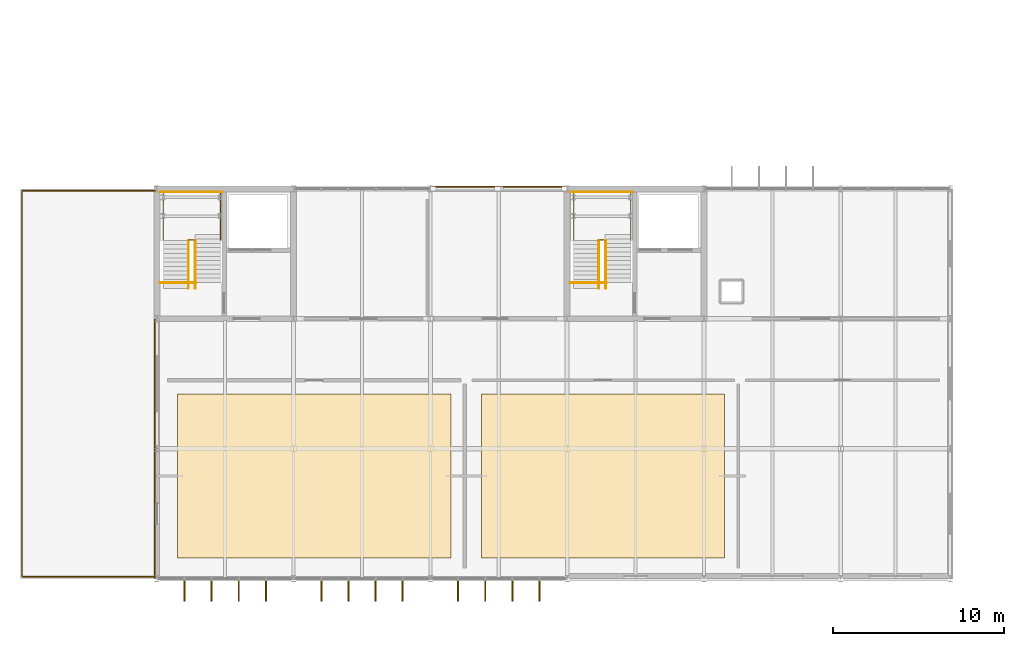
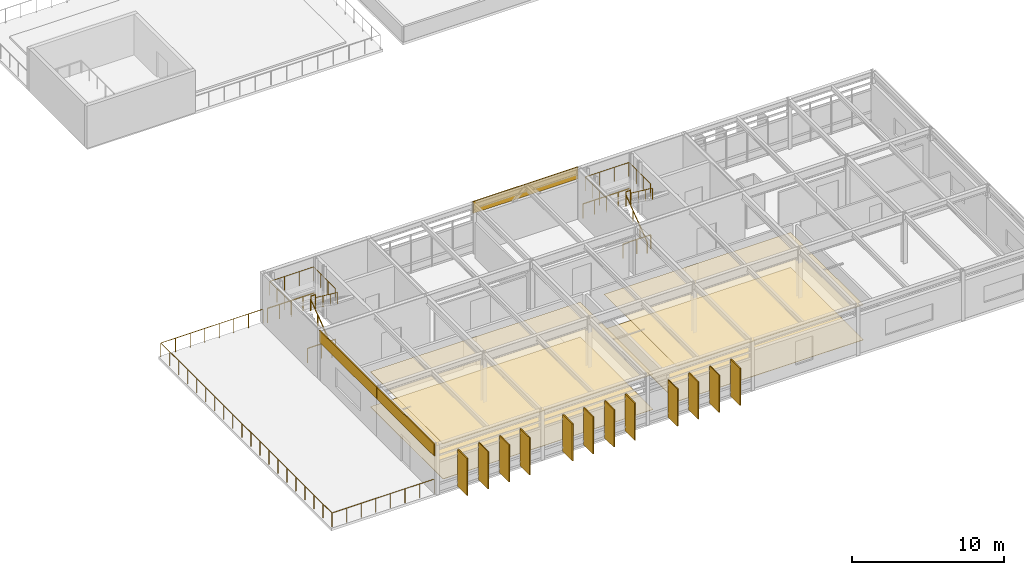
# One storey, part 19 of 21: 13 railings, 12 shading devices, 7 coverings.
"""IFC4 building model written with IfcOpenShell, lengths in metres."""

from ifc_helpers import new_model, si_unit, direction, frame, origin, origin_2d, place, context, subcontext, project, spatial, polyline, rectangle, circle, outline, extrude, material, layer, layer_set, type_object, element, save


model = new_model("IFC4")

# Units and contexts
model_context = context("Model", 3, precision=1e-05, world=origin(), true_north=direction((0.0, 1.0)))
body_context = subcontext(model_context, "Body", "Model", "MODEL_VIEW")
ifc_project = project(units=[si_unit("LENGTHUNIT", "METRE"), si_unit("AREAUNIT", "SQUARE_METRE"), si_unit("VOLUMEUNIT", "CUBIC_METRE"), si_unit("PLANEANGLEUNIT", "RADIAN"), si_unit("MASSUNIT", "GRAM", prefix="KILO")], contexts=[model_context])

# Site, building, storey
site_placement = place(None, origin())
site = spatial("IfcSite", under=ifc_project, at=site_placement, CompositionType="ELEMENT")
building_placement = place(site_placement, origin())
building = spatial("IfcBuilding", under=site, at=building_placement, Name="Zulena Civic Courthouse", CompositionType="ELEMENT")
storey_placement = place(building_placement, frame((0.0, 0.0, 37.800048828125)))
storey = spatial("IfcBuildingStorey", under=building, at=storey_placement, Name="L08", CompositionType="ELEMENT", Elevation=37.800048828125)

# Coverings
ifc_material_1 = material(Name="Perforated acoustic mineral-fibre ceiling tile", Category="concrete")
ifc_layer_1 = layer(ifc_material_1, 0.02490234375)
ifc_layer_set_1 = layer_set([ifc_layer_1], Name="Perforated acoustic mineral-fibre ceiling tile")
covering_type_1 = type_object("IfcCoveringType", Name="AcousticCeiling_25", PredefinedType="CEILING", material=ifc_layer_set_1)
covering_1_placement = place(storey_placement, frame((0.0, 0.0, 2.820068359375)))
element("IfcCovering", 1, at=covering_1_placement, inside=storey, type_object=covering_type_1, Name="ceil:L08:358", PredefinedType="CEILING", context=body_context, shape_type="SweptSolid", body=[
    extrude(outline(polyline([(21.199951171875, 1.199951171875), (37.199951171875, 1.199951171875), (37.199951171875, 10.800048828125), (21.199951171875, 10.800048828125), (21.199951171875, 1.199951171875)])), origin(), (0.0, 0.0, 1.0), 0.02490234375),
])
covering_2_placement = place(storey_placement, frame((0.0, 0.0, 2.820068359375)))
element("IfcCovering", 2, at=covering_2_placement, inside=storey, type_object=covering_type_1, Name="ceil:L08:359", PredefinedType="CEILING", context=body_context, shape_type="SweptSolid", body=[
    extrude(outline(polyline([(39.0, 1.199951171875), (53.199951171875, 1.199951171875), (53.199951171875, 10.800048828125), (39.0, 10.800048828125), (39.0, 1.199951171875)])), origin(), (0.0, 0.0, 1.0), 0.02490234375),
])

# Shading devices
ifc_material_2 = material(Name="Gold anodised architectural aluminium AA6063-T6", Category="aluminium")
shading_device_type = type_object("IfcShadingDeviceType", Name="GoldSolarFin_300", PredefinedType="USERDEFINED", material=ifc_material_2)
for number, where, z_axis, x_axis, name in (
    (3, (42.37841796875, -0.68505859375, 0.0498046875), (0.0, 0.0, 1.0), (0.0, -1.0, 0.0), "fin:V2:L08:3:3:1"),
    (4, (40.792724609375, -0.68505859375, 0.0498046875), (0.0, 0.0, 1.0), (0.0, -1.0, 0.0), "fin:V2:L08:3:3:2"),
    (5, (39.207275390625, -0.68505859375, 0.0498046875), (0.0, 0.0, 1.0), (0.0, -1.0, 0.0), "fin:V2:L08:3:3:3"),
    (6, (37.62158203125, -0.68505859375, 0.0498046875), (0.0, 0.0, 1.0), (0.0, -1.0, 0.0), "fin:V2:L08:3:3:4"),
    (7, (34.37841796875, -0.68505859375, 0.0498046875), (0.0, 0.0, 1.0), (0.0, -1.0, 0.0), "fin:V2:L08:3:4:1"),
    (8, (32.792724609375, -0.68505859375, 0.0498046875), (0.0, 0.0, 1.0), (0.0, -1.0, 0.0), "fin:V2:L08:3:4:2"),
    (9, (31.207275390625, -0.68505859375, 0.0498046875), (0.0, 0.0, 1.0), (0.0, -1.0, 0.0), "fin:V2:L08:3:4:3"),
    (10, (29.62158203125, -0.68505859375, 0.0498046875), (0.0, 0.0, 1.0), (0.0, -1.0, 0.0), "fin:V2:L08:3:4:4"),
    (11, (26.37841796875, -0.68505859375, 0.0498046875), (0.0, 0.0, 1.0), (0.0, -1.0, 0.0), "fin:V2:L08:3:5:1"),
    (12, (24.792724609375, -0.68505859375, 0.0498046875), (0.0, 0.0, 1.0), (0.0, -1.0, 0.0), "fin:V2:L08:3:5:2"),
    (13, (23.207275390625, -0.68505859375, 0.0498046875), (0.0, 0.0, 1.0), (0.0, -1.0, 0.0), "fin:V2:L08:3:5:3"),
    (14, (21.62158203125, -0.68505859375, 0.0498046875), (0.0, 0.0, 1.0), (0.0, -1.0, 0.0), "fin:V2:L08:3:5:4"),
):
    element("IfcShadingDevice", number, at=place(storey_placement, frame(where, z_axis=z_axis, x_axis=x_axis)), inside=storey, type_object=shading_device_type, Name=name, ObjectType="FIN", PredefinedType="USERDEFINED", context=body_context, shape_type="SweptSolid", body=[
        extrude(rectangle(XDim=1.25, YDim=0.080078125, at=origin_2d()), origin(), (0.0, 0.0, 1.0), 2.989990234375),
    ])

# Railings
ifc_material_3 = material(Name="Brushed architectural steel ASTM A36", Category="steel")
railing_type_1 = type_object("IfcRailingType", Name="InteriorGuardrail_1150", PredefinedType="GUARDRAIL", material=ifc_material_3)
railing_1_placement = place(storey_placement, frame((20.199951171875, 22.610107421875, 0.0)))
element("IfcRailing", 15, at=railing_1_placement, inside=storey, type_object=railing_type_1, Name="gr:wellN:K2A:L07", PredefinedType="GUARDRAIL", context=body_context, shape_type="SweptSolid", body=[
    extrude(circle(Radius=0.02392578125, at=origin_2d()), frame((0.00390625, 0.0, 1.1259765625), z_axis=(1.0, 0.0, 0.0), x_axis=(0.0, 1.0, 0.0)), (0.0, 0.0, 1.0), 3.592041015625),
    extrude(circle(Radius=0.02099609375, at=origin_2d()), origin(), (0.0, 0.0, 1.0), 1.097900390625),
    extrude(circle(Radius=0.02099609375, at=origin_2d()), frame((0.89990234375, 0.0, 0.0)), (0.0, 0.0, 1.0), 1.097900390625),
    extrude(circle(Radius=0.02099609375, at=origin_2d()), frame((1.800048828125, 0.0, 0.0)), (0.0, 0.0, 1.0), 1.097900390625),
    extrude(circle(Radius=0.02099609375, at=origin_2d()), frame((2.7001953125, 0.0, 0.0)), (0.0, 0.0, 1.0), 1.097900390625),
    extrude(circle(Radius=0.02099609375, at=origin_2d()), frame((3.60009765625, 0.0, 0.0)), (0.0, 0.0, 1.0), 1.097900390625),
])
railing_2_placement = place(storey_placement, frame((20.179931640625, 17.300048828125, 0.0)))
element("IfcRailing", 16, at=railing_2_placement, inside=storey, type_object=railing_type_1, Name="gr:wells:K2A:L08", PredefinedType="GUARDRAIL", context=body_context, shape_type="SweptSolid", body=[
    extrude(circle(Radius=0.02392578125, at=origin_2d()), frame((0.00390625, 0.0, 1.1259765625), z_axis=(1.0, 0.0, 0.0), x_axis=(0.0, 1.0, 0.0)), (0.0, 0.0, 1.0), 2.112060546875),
    extrude(circle(Radius=0.02099609375, at=origin_2d()), origin(), (0.0, 0.0, 1.0), 1.097900390625),
    extrude(circle(Radius=0.02099609375, at=origin_2d()), frame((1.06005859375, 0.0, 0.0)), (0.0, 0.0, 1.0), 1.097900390625),
    extrude(circle(Radius=0.02099609375, at=origin_2d()), frame((2.1201171875, 0.0, 0.0)), (0.0, 0.0, 1.0), 1.097900390625),
])
railing_3_placement = place(storey_placement, frame((20.3798828125, 19.78466796875, 2.099853515625)))
element("IfcRailing", 17, at=railing_3_placement, inside=storey, type_object=railing_type_1, Name="gr:lnd:K2A:L08", PredefinedType="GUARDRAIL", context=body_context, shape_type="SweptSolid", body=[
    extrude(circle(Radius=0.02392578125, at=origin_2d()), frame((0.0, 0.00390625, 1.1259765625), z_axis=(0.0, 1.0, 0.0), x_axis=(-1.0, 0.0, 0.0)), (0.0, 0.0, 1.0), 2.827392578125),
    extrude(circle(Radius=0.02392578125, at=origin_2d()), frame((0.00390625, 2.83544921875, 1.1259765625), z_axis=(1.0, 0.0, 0.0), x_axis=(0.0, 1.0, 0.0)), (0.0, 0.0, 1.0), 3.33203125),
    extrude(circle(Radius=0.02392578125, at=origin_2d()), frame((3.340087890625, 2.83154296875, 1.1259765625), z_axis=(0.0, -1.0, 0.0), x_axis=(1.0, 0.0, 0.0)), (0.0, 0.0, 1.0), 2.827392578125),
    extrude(circle(Radius=0.02099609375, at=origin_2d()), origin(), (0.0, 0.0, 1.0), 1.097900390625),
    extrude(circle(Radius=0.02099609375, at=origin_2d()), frame((0.0, 0.945068359375, 0.0)), (0.0, 0.0, 1.0), 1.097900390625),
    extrude(circle(Radius=0.02099609375, at=origin_2d()), frame((0.0, 1.890380859375, 0.0)), (0.0, 0.0, 1.0), 1.097900390625),
    extrude(circle(Radius=0.02099609375, at=origin_2d()), frame((0.0, 2.83544921875, 0.0)), (0.0, 0.0, 1.0), 1.097900390625),
    extrude(circle(Radius=0.02099609375, at=origin_2d()), frame((1.11328125, 2.83544921875, 0.0)), (0.0, 0.0, 1.0), 1.097900390625),
    extrude(circle(Radius=0.02099609375, at=origin_2d()), frame((2.226806640625, 2.83544921875, 0.0)), (0.0, 0.0, 1.0), 1.097900390625),
    extrude(circle(Radius=0.02099609375, at=origin_2d()), frame((3.340087890625, 2.83544921875, 0.0)), (0.0, 0.0, 1.0), 1.097900390625),
    extrude(circle(Radius=0.02099609375, at=origin_2d()), frame((3.340087890625, 1.890380859375, 0.0)), (0.0, 0.0, 1.0), 1.097900390625),
    extrude(circle(Radius=0.02099609375, at=origin_2d()), frame((3.340087890625, 0.945068359375, 0.0)), (0.0, 0.0, 1.0), 1.097900390625),
    extrude(circle(Radius=0.02099609375, at=origin_2d()), frame((3.340087890625, 0.0, 0.0)), (0.0, 0.0, 1.0), 1.097900390625),
])
railing_4_placement = place(storey_placement, frame((21.8798828125, 19.804931640625, 2.099853515625)))
element("IfcRailing", 18, at=railing_4_placement, inside=storey, type_object=railing_type_1, Name="gr:lndslot:K2A:L08", PredefinedType="GUARDRAIL", context=body_context, shape_type="SweptSolid", body=[
    extrude(circle(Radius=0.02392578125, at=origin_2d()), frame((0.00390625, 0.0, 1.1259765625), z_axis=(1.0, 0.0, 0.0), x_axis=(0.0, 1.0, 0.0)), (0.0, 0.0, 1.0), 0.33203125),
    extrude(circle(Radius=0.02099609375, at=origin_2d()), origin(), (0.0, 0.0, 1.0), 1.097900390625),
    extrude(circle(Radius=0.02099609375, at=origin_2d()), frame((0.340087890625, 0.0, 0.0)), (0.0, 0.0, 1.0), 1.097900390625),
])
railing_5_placement = place(storey_placement, frame((44.199951171875, 22.610107421875, 0.0)))
element("IfcRailing", 19, at=railing_5_placement, inside=storey, type_object=railing_type_1, Name="gr:wellN:K2B:L07", PredefinedType="GUARDRAIL", context=body_context, shape_type="SweptSolid", body=[
    extrude(circle(Radius=0.02392578125, at=origin_2d()), frame((0.00390625, 0.0, 1.1259765625), z_axis=(1.0, 0.0, 0.0), x_axis=(0.0, 1.0, 0.0)), (0.0, 0.0, 1.0), 3.592041015625),
    extrude(circle(Radius=0.02099609375, at=origin_2d()), origin(), (0.0, 0.0, 1.0), 1.097900390625),
    extrude(circle(Radius=0.02099609375, at=origin_2d()), frame((0.89990234375, 0.0, 0.0)), (0.0, 0.0, 1.0), 1.097900390625),
    extrude(circle(Radius=0.02099609375, at=origin_2d()), frame((1.800048828125, 0.0, 0.0)), (0.0, 0.0, 1.0), 1.097900390625),
    extrude(circle(Radius=0.02099609375, at=origin_2d()), frame((2.7001953125, 0.0, 0.0)), (0.0, 0.0, 1.0), 1.097900390625),
    extrude(circle(Radius=0.02099609375, at=origin_2d()), frame((3.60009765625, 0.0, 0.0)), (0.0, 0.0, 1.0), 1.097900390625),
])
railing_6_placement = place(storey_placement, frame((44.179931640625, 17.300048828125, 0.0)))
element("IfcRailing", 20, at=railing_6_placement, inside=storey, type_object=railing_type_1, Name="gr:wells:K2B:L08", PredefinedType="GUARDRAIL", context=body_context, shape_type="SweptSolid", body=[
    extrude(circle(Radius=0.02392578125, at=origin_2d()), frame((0.00390625, 0.0, 1.1259765625), z_axis=(1.0, 0.0, 0.0), x_axis=(0.0, 1.0, 0.0)), (0.0, 0.0, 1.0), 2.112060546875),
    extrude(circle(Radius=0.02099609375, at=origin_2d()), origin(), (0.0, 0.0, 1.0), 1.097900390625),
    extrude(circle(Radius=0.02099609375, at=origin_2d()), frame((1.06005859375, 0.0, 0.0)), (0.0, 0.0, 1.0), 1.097900390625),
    extrude(circle(Radius=0.02099609375, at=origin_2d()), frame((2.1201171875, 0.0, 0.0)), (0.0, 0.0, 1.0), 1.097900390625),
])
railing_7_placement = place(storey_placement, frame((44.3798828125, 19.78466796875, 2.099853515625)))
element("IfcRailing", 21, at=railing_7_placement, inside=storey, type_object=railing_type_1, Name="gr:lnd:K2B:L08", PredefinedType="GUARDRAIL", context=body_context, shape_type="SweptSolid", body=[
    extrude(circle(Radius=0.02392578125, at=origin_2d()), frame((0.0, 0.00390625, 1.1259765625), z_axis=(0.0, 1.0, 0.0), x_axis=(-1.0, 0.0, 0.0)), (0.0, 0.0, 1.0), 2.827392578125),
    extrude(circle(Radius=0.02392578125, at=origin_2d()), frame((0.00390625, 2.83544921875, 1.1259765625), z_axis=(1.0, 0.0, 0.0), x_axis=(0.0, 1.0, 0.0)), (0.0, 0.0, 1.0), 3.33203125),
    extrude(circle(Radius=0.02392578125, at=origin_2d()), frame((3.340087890625, 2.83154296875, 1.1259765625), z_axis=(0.0, -1.0, 0.0), x_axis=(1.0, 0.0, 0.0)), (0.0, 0.0, 1.0), 2.827392578125),
    extrude(circle(Radius=0.02099609375, at=origin_2d()), origin(), (0.0, 0.0, 1.0), 1.097900390625),
    extrude(circle(Radius=0.02099609375, at=origin_2d()), frame((0.0, 0.945068359375, 0.0)), (0.0, 0.0, 1.0), 1.097900390625),
    extrude(circle(Radius=0.02099609375, at=origin_2d()), frame((0.0, 1.890380859375, 0.0)), (0.0, 0.0, 1.0), 1.097900390625),
    extrude(circle(Radius=0.02099609375, at=origin_2d()), frame((0.0, 2.83544921875, 0.0)), (0.0, 0.0, 1.0), 1.097900390625),
    extrude(circle(Radius=0.02099609375, at=origin_2d()), frame((1.11328125, 2.83544921875, 0.0)), (0.0, 0.0, 1.0), 1.097900390625),
    extrude(circle(Radius=0.02099609375, at=origin_2d()), frame((2.226806640625, 2.83544921875, 0.0)), (0.0, 0.0, 1.0), 1.097900390625),
    extrude(circle(Radius=0.02099609375, at=origin_2d()), frame((3.340087890625, 2.83544921875, 0.0)), (0.0, 0.0, 1.0), 1.097900390625),
    extrude(circle(Radius=0.02099609375, at=origin_2d()), frame((3.340087890625, 1.890380859375, 0.0)), (0.0, 0.0, 1.0), 1.097900390625),
    extrude(circle(Radius=0.02099609375, at=origin_2d()), frame((3.340087890625, 0.945068359375, 0.0)), (0.0, 0.0, 1.0), 1.097900390625),
    extrude(circle(Radius=0.02099609375, at=origin_2d()), frame((3.340087890625, 0.0, 0.0)), (0.0, 0.0, 1.0), 1.097900390625),
])
railing_8_placement = place(storey_placement, frame((45.8798828125, 19.804931640625, 2.099853515625)))
element("IfcRailing", 22, at=railing_8_placement, inside=storey, type_object=railing_type_1, Name="gr:lndslot:K2B:L08", PredefinedType="GUARDRAIL", context=body_context, shape_type="SweptSolid", body=[
    extrude(circle(Radius=0.02392578125, at=origin_2d()), frame((0.00390625, 0.0, 1.1259765625), z_axis=(1.0, 0.0, 0.0), x_axis=(0.0, 1.0, 0.0)), (0.0, 0.0, 1.0), 0.33203125),
    extrude(circle(Radius=0.02099609375, at=origin_2d()), origin(), (0.0, 0.0, 1.0), 1.097900390625),
    extrude(circle(Radius=0.02099609375, at=origin_2d()), frame((0.340087890625, 0.0, 0.0)), (0.0, 0.0, 1.0), 1.097900390625),
])

# Coverings
ifc_material_4 = material(Name="White architectural precast concrete C40/50", Category="concrete")
ifc_layer_2 = layer(ifc_material_4, 0.0849609375)
ifc_layer_set_2 = layer_set([ifc_layer_2], Name="White architectural precast concrete C40/50")
covering_type_2 = type_object("IfcCoveringType", Name="PrecastSpandrelCladding_85", PredefinedType="CLADDING", material=ifc_layer_set_2)
for number, where, z_axis, x_axis, name in (
    (23, (19.8798828125, 3.800048828125, 3.06005859375), (0.0, 0.0, 1.0), (0.0, 1.0, 0.0), "clad:sp:V2:L08:0:0"),
    (24, (19.8798828125, 11.39990234375, 3.06005859375), (0.0, 0.0, 1.0), (0.0, 1.0, 0.0), "clad:sp:V2:L08:0:1"),
):
    element("IfcCovering", number, at=place(storey_placement, frame(where, z_axis=z_axis, x_axis=x_axis)), inside=storey, type_object=covering_type_2, Name=name, PredefinedType="CLADDING", context=body_context, shape_type="SweptSolid", body=[
        extrude(rectangle(XDim=7.56005859375, YDim=0.0849609375, at=origin_2d()), origin(), (0.0, 0.0, 1.0), 0.93994140625),
    ])
covering_3_placement = place(storey_placement, frame((40.0, 22.919921875, 3.06005859375), z_axis=(0.0, 0.0, 1.0), x_axis=(1.0, 0.0, 0.0)))
element("IfcCovering", 25, at=covering_3_placement, inside=storey, type_object=covering_type_2, Name="clad:sp:V2:L08:1:2", PredefinedType="CLADDING", context=body_context, shape_type="SweptSolid", body=[
    extrude(rectangle(XDim=7.9599609375, YDim=0.0849609375, at=origin_2d()), origin(), (0.0, 0.0, 1.0), 0.93994140625),
])

# Railings
railing_type_2 = type_object("IfcRailingType", Name="StairHandrail_920", PredefinedType="HANDRAIL", material=ifc_material_3)
railing_9_placement = place(storey_placement, frame((21.85009765625, 16.97998046875, 0.0)))
element("IfcRailing", 26, at=railing_9_placement, inside=storey, type_object=railing_type_2, Name="hr:K2A:L08:1", PredefinedType="HANDRAIL", context=body_context, shape_type="SweptSolid", body=[
    extrude(circle(Radius=0.02392578125, at=origin_2d()), frame((0.0, 0.003173828125, 0.898193359375), z_axis=(0.0, 0.800501427345, 0.599330847545), x_axis=(-1.0, 0.0, 0.0)), (0.0, 0.0, 1.0), 3.49560546875),
    extrude(circle(Radius=0.02099609375, at=origin_2d()), origin(), (0.0, 0.0, 1.0), 0.867919921875),
    extrude(circle(Radius=0.02099609375, at=origin_2d()), frame((0.0, 0.934814453125, 0.699951171875)), (0.0, 0.0, 1.0), 0.867919921875),
    extrude(circle(Radius=0.02099609375, at=origin_2d()), frame((0.0, 1.869873046875, 1.39990234375)), (0.0, 0.0, 1.0), 0.867919921875),
    extrude(circle(Radius=0.02099609375, at=origin_2d()), frame((0.0, 2.8046875, 2.099853515625)), (0.0, 0.0, 1.0), 0.867919921875),
])
railing_10_placement = place(storey_placement, frame((22.25, 19.78466796875, 2.099853515625)))
element("IfcRailing", 27, at=railing_10_placement, inside=storey, type_object=railing_type_2, Name="hr:K2A:L08:2", PredefinedType="HANDRAIL", context=body_context, shape_type="SweptSolid", body=[
    extrude(circle(Radius=0.02392578125, at=origin_2d()), frame((0.0, -0.003173828125, 0.898193359375), z_axis=(0.0, -0.800467996722, 0.599375496849), x_axis=(1.0, 0.0, 0.0)), (0.0, 0.0, 1.0), 3.495849609375),
    extrude(circle(Radius=0.02099609375, at=origin_2d()), origin(), (0.0, 0.0, 1.0), 0.867919921875),
    extrude(circle(Radius=0.02099609375, at=origin_2d()), frame((0.0, -0.934814453125, 0.699951171875)), (0.0, 0.0, 1.0), 0.867919921875),
    extrude(circle(Radius=0.02099609375, at=origin_2d()), frame((0.0, -1.869873046875, 1.400146484375)), (0.0, 0.0, 1.0), 0.867919921875),
    extrude(circle(Radius=0.02099609375, at=origin_2d()), frame((0.0, -2.8046875, 2.10009765625)), (0.0, 0.0, 1.0), 0.867919921875),
])
railing_11_placement = place(storey_placement, frame((45.85009765625, 16.97998046875, 0.0)))
element("IfcRailing", 28, at=railing_11_placement, inside=storey, type_object=railing_type_2, Name="hr:K2B:L08:1", PredefinedType="HANDRAIL", context=body_context, shape_type="SweptSolid", body=[
    extrude(circle(Radius=0.02392578125, at=origin_2d()), frame((0.0, 0.003173828125, 0.898193359375), z_axis=(0.0, 0.800501427345, 0.599330847545), x_axis=(-1.0, 0.0, 0.0)), (0.0, 0.0, 1.0), 3.49560546875),
    extrude(circle(Radius=0.02099609375, at=origin_2d()), origin(), (0.0, 0.0, 1.0), 0.867919921875),
    extrude(circle(Radius=0.02099609375, at=origin_2d()), frame((0.0, 0.934814453125, 0.699951171875)), (0.0, 0.0, 1.0), 0.867919921875),
    extrude(circle(Radius=0.02099609375, at=origin_2d()), frame((0.0, 1.869873046875, 1.39990234375)), (0.0, 0.0, 1.0), 0.867919921875),
    extrude(circle(Radius=0.02099609375, at=origin_2d()), frame((0.0, 2.8046875, 2.099853515625)), (0.0, 0.0, 1.0), 0.867919921875),
])
railing_12_placement = place(storey_placement, frame((46.25, 19.78466796875, 2.099853515625)))
element("IfcRailing", 29, at=railing_12_placement, inside=storey, type_object=railing_type_2, Name="hr:K2B:L08:2", PredefinedType="HANDRAIL", context=body_context, shape_type="SweptSolid", body=[
    extrude(circle(Radius=0.02392578125, at=origin_2d()), frame((0.0, -0.003173828125, 0.898193359375), z_axis=(0.0, -0.800467996722, 0.599375496849), x_axis=(1.0, 0.0, 0.0)), (0.0, 0.0, 1.0), 3.495849609375),
    extrude(circle(Radius=0.02099609375, at=origin_2d()), origin(), (0.0, 0.0, 1.0), 0.867919921875),
    extrude(circle(Radius=0.02099609375, at=origin_2d()), frame((0.0, -0.934814453125, 0.699951171875)), (0.0, 0.0, 1.0), 0.867919921875),
    extrude(circle(Radius=0.02099609375, at=origin_2d()), frame((0.0, -1.869873046875, 1.400146484375)), (0.0, 0.0, 1.0), 0.867919921875),
    extrude(circle(Radius=0.02099609375, at=origin_2d()), frame((0.0, -2.8046875, 2.10009765625)), (0.0, 0.0, 1.0), 0.867919921875),
])
ifc_material_5 = material(Name="Bronze-painted architectural steel ASTM A36", Category="steel")
railing_type_3 = type_object("IfcRailingType", Name="TerraceBalustrade_1150", PredefinedType="BALUSTRADE", material=ifc_material_5)
railing_13_placement = place(storey_placement, frame((19.89990234375, 0.1201171875, 0.0)))
element("IfcRailing", 30, at=railing_13_placement, inside=storey, type_object=railing_type_3, Name="guard:terrace:TR-V2-L08:0", PredefinedType="BALUSTRADE", context=body_context, shape_type="SweptSolid", body=[
    extrude(circle(Radius=0.02392578125, at=origin_2d()), frame((-0.00390625, 0.0, 1.1259765625), z_axis=(-1.0, 0.0, 0.0), x_axis=(0.0, -1.0, 0.0)), (0.0, 0.0, 1.0), 7.771728515625),
    extrude(circle(Radius=0.02392578125, at=origin_2d()), frame((-7.77978515625, 0.00390625, 1.1259765625), z_axis=(0.0, 1.0, 0.0), x_axis=(-1.0, 0.0, 0.0)), (0.0, 0.0, 1.0), 22.5517578125),
    extrude(circle(Radius=0.02392578125, at=origin_2d()), frame((-7.77587890625, 22.559814453125, 1.1259765625), z_axis=(1.0, 0.0, 0.0), x_axis=(0.0, 1.0, 0.0)), (0.0, 0.0, 1.0), 7.771728515625),
    extrude(circle(Radius=0.02099609375, at=origin_2d()), origin(), (0.0, 0.0, 1.0), 1.097900390625),
    extrude(circle(Radius=0.02099609375, at=origin_2d()), frame((-1.111328125, 0.0, 0.0)), (0.0, 0.0, 1.0), 1.097900390625),
    extrude(circle(Radius=0.02099609375, at=origin_2d()), frame((-2.222900390625, 0.0, 0.0)), (0.0, 0.0, 1.0), 1.097900390625),
    extrude(circle(Radius=0.02099609375, at=origin_2d()), frame((-3.334228515625, 0.0, 0.0)), (0.0, 0.0, 1.0), 1.097900390625),
    extrude(circle(Radius=0.02099609375, at=origin_2d()), frame((-4.445556640625, 0.0, 0.0)), (0.0, 0.0, 1.0), 1.097900390625),
    extrude(circle(Radius=0.02099609375, at=origin_2d()), frame((-5.556884765625, 0.0, 0.0)), (0.0, 0.0, 1.0), 1.097900390625),
    extrude(circle(Radius=0.02099609375, at=origin_2d()), frame((-6.66845703125, 0.0, 0.0)), (0.0, 0.0, 1.0), 1.097900390625),
    extrude(circle(Radius=0.02099609375, at=origin_2d()), frame((-7.77978515625, 0.0, 0.0)), (0.0, 0.0, 1.0), 1.097900390625),
    extrude(circle(Radius=0.02099609375, at=origin_2d()), frame((-7.77978515625, 1.187255859375, 0.0)), (0.0, 0.0, 1.0), 1.097900390625),
    extrude(circle(Radius=0.02099609375, at=origin_2d()), frame((-7.77978515625, 2.374755859375, 0.0)), (0.0, 0.0, 1.0), 1.097900390625),
    extrude(circle(Radius=0.02099609375, at=origin_2d()), frame((-7.77978515625, 3.56201171875, 0.0)), (0.0, 0.0, 1.0), 1.097900390625),
    extrude(circle(Radius=0.02099609375, at=origin_2d()), frame((-7.77978515625, 4.74951171875, 0.0)), (0.0, 0.0, 1.0), 1.097900390625),
    extrude(circle(Radius=0.02099609375, at=origin_2d()), frame((-7.77978515625, 5.936767578125, 0.0)), (0.0, 0.0, 1.0), 1.097900390625),
    extrude(circle(Radius=0.02099609375, at=origin_2d()), frame((-7.77978515625, 7.124267578125, 0.0)), (0.0, 0.0, 1.0), 1.097900390625),
    extrude(circle(Radius=0.02099609375, at=origin_2d()), frame((-7.77978515625, 8.3115234375, 0.0)), (0.0, 0.0, 1.0), 1.097900390625),
    extrude(circle(Radius=0.02099609375, at=origin_2d()), frame((-7.77978515625, 9.498779296875, 0.0)), (0.0, 0.0, 1.0), 1.097900390625),
    extrude(circle(Radius=0.02099609375, at=origin_2d()), frame((-7.77978515625, 10.686279296875, 0.0)), (0.0, 0.0, 1.0), 1.097900390625),
    extrude(circle(Radius=0.02099609375, at=origin_2d()), frame((-7.77978515625, 11.87353515625, 0.0)), (0.0, 0.0, 1.0), 1.097900390625),
    extrude(circle(Radius=0.02099609375, at=origin_2d()), frame((-7.77978515625, 13.06103515625, 0.0)), (0.0, 0.0, 1.0), 1.097900390625),
    extrude(circle(Radius=0.02099609375, at=origin_2d()), frame((-7.77978515625, 14.248291015625, 0.0)), (0.0, 0.0, 1.0), 1.097900390625),
    extrude(circle(Radius=0.02099609375, at=origin_2d()), frame((-7.77978515625, 15.435546875, 0.0)), (0.0, 0.0, 1.0), 1.097900390625),
    extrude(circle(Radius=0.02099609375, at=origin_2d()), frame((-7.77978515625, 16.623046875, 0.0)), (0.0, 0.0, 1.0), 1.097900390625),
    extrude(circle(Radius=0.02099609375, at=origin_2d()), frame((-7.77978515625, 17.810302734375, 0.0)), (0.0, 0.0, 1.0), 1.097900390625),
    extrude(circle(Radius=0.02099609375, at=origin_2d()), frame((-7.77978515625, 18.997802734375, 0.0)), (0.0, 0.0, 1.0), 1.097900390625),
    extrude(circle(Radius=0.02099609375, at=origin_2d()), frame((-7.77978515625, 20.18505859375, 0.0)), (0.0, 0.0, 1.0), 1.097900390625),
    extrude(circle(Radius=0.02099609375, at=origin_2d()), frame((-7.77978515625, 21.37255859375, 0.0)), (0.0, 0.0, 1.0), 1.097900390625),
    extrude(circle(Radius=0.02099609375, at=origin_2d()), frame((-7.77978515625, 22.559814453125, 0.0)), (0.0, 0.0, 1.0), 1.097900390625),
    extrude(circle(Radius=0.02099609375, at=origin_2d()), frame((-6.66845703125, 22.559814453125, 0.0)), (0.0, 0.0, 1.0), 1.097900390625),
    extrude(circle(Radius=0.02099609375, at=origin_2d()), frame((-5.556884765625, 22.559814453125, 0.0)), (0.0, 0.0, 1.0), 1.097900390625),
    extrude(circle(Radius=0.02099609375, at=origin_2d()), frame((-4.445556640625, 22.559814453125, 0.0)), (0.0, 0.0, 1.0), 1.097900390625),
    extrude(circle(Radius=0.02099609375, at=origin_2d()), frame((-3.334228515625, 22.559814453125, 0.0)), (0.0, 0.0, 1.0), 1.097900390625),
    extrude(circle(Radius=0.02099609375, at=origin_2d()), frame((-2.222900390625, 22.559814453125, 0.0)), (0.0, 0.0, 1.0), 1.097900390625),
    extrude(circle(Radius=0.02099609375, at=origin_2d()), frame((-1.111328125, 22.559814453125, 0.0)), (0.0, 0.0, 1.0), 1.097900390625),
    extrude(circle(Radius=0.02099609375, at=origin_2d()), frame((0.0, 22.559814453125, 0.0)), (0.0, 0.0, 1.0), 1.097900390625),
])

# Coverings
ifc_material_6 = material(Name="Honed travertine stone flooring", Category="masonry")
ifc_layer_3 = layer(ifc_material_6, 0.030029296875)
ifc_layer_set_3 = layer_set([ifc_layer_3], Name="Honed travertine stone flooring")
covering_type_3 = type_object("IfcCoveringType", Name="TravertineFlooring_30", PredefinedType="FLOORING", material=ifc_layer_set_3)
covering_4_placement = place(storey_placement, origin())
element("IfcCovering", 31, at=covering_4_placement, inside=storey, type_object=covering_type_3, Name="floor:L08:358", PredefinedType="FLOORING", context=body_context, shape_type="SweptSolid", body=[
    extrude(outline(polyline([(21.199951171875, 1.199951171875), (37.199951171875, 1.199951171875), (37.199951171875, 10.800048828125), (21.199951171875, 10.800048828125), (21.199951171875, 1.199951171875)])), origin(), (0.0, 0.0, 1.0), 0.030029296875),
])
covering_5_placement = place(storey_placement, origin())
element("IfcCovering", 32, at=covering_5_placement, inside=storey, type_object=covering_type_3, Name="floor:L08:359", PredefinedType="FLOORING", context=body_context, shape_type="SweptSolid", body=[
    extrude(outline(polyline([(39.0, 1.199951171875), (53.199951171875, 1.199951171875), (53.199951171875, 10.800048828125), (39.0, 10.800048828125), (39.0, 1.199951171875)])), origin(), (0.0, 0.0, 1.0), 0.030029296875),
])

save(model, "model.ifc")
